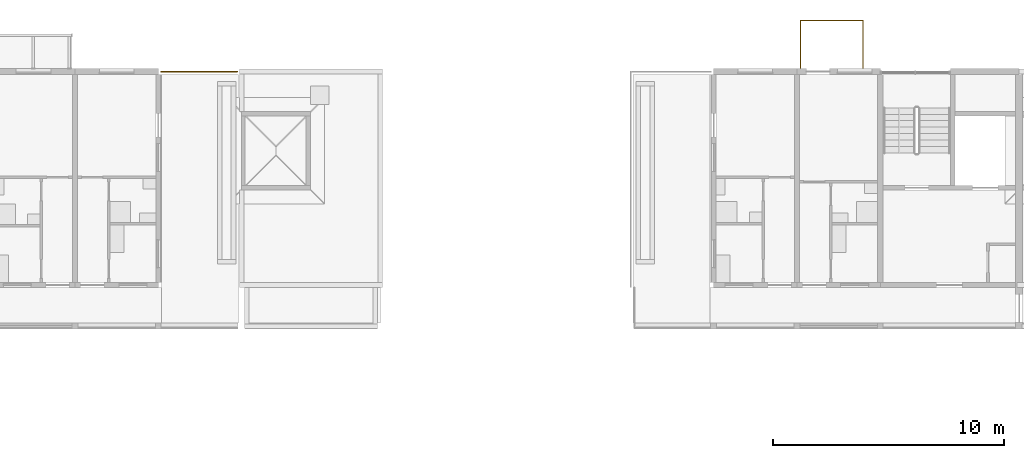
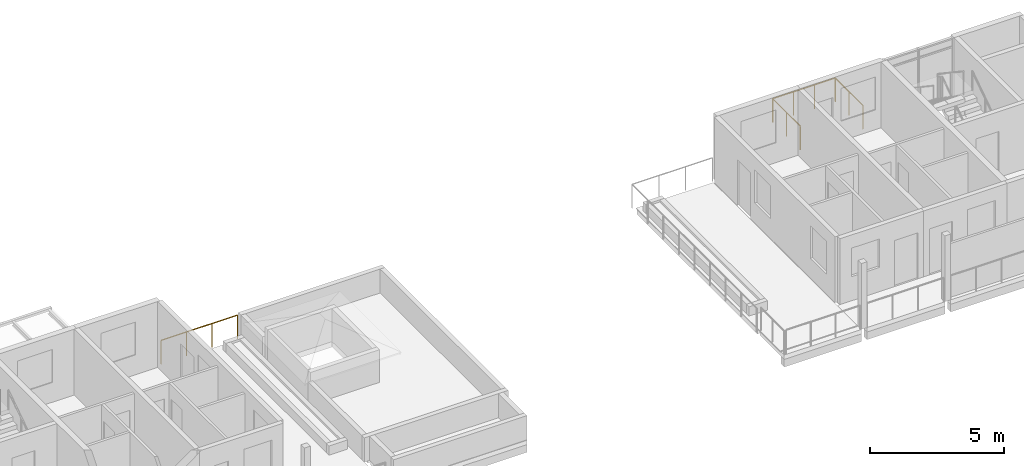
# One storey, part 76 of 78: 2 railings.
"""IFC4 building model written with IfcOpenShell, lengths in metres."""

from ifc_helpers import new_model, si_unit, direction, frame, origin, origin_2d, place, context, subcontext, project, spatial, circle, extrude, material, type_object, element, save


model = new_model("IFC4")

# Units and contexts
model_context = context("Model", 3, precision=1e-05, world=origin(), true_north=direction((0.0, 1.0)))
body_context = subcontext(model_context, "Body", "Model", "MODEL_VIEW")
ifc_project = project(units=[si_unit("LENGTHUNIT", "METRE"), si_unit("AREAUNIT", "SQUARE_METRE"), si_unit("VOLUMEUNIT", "CUBIC_METRE"), si_unit("PLANEANGLEUNIT", "RADIAN"), si_unit("MASSUNIT", "GRAM", prefix="KILO")], contexts=[model_context])

# Site, building, storey
site_placement = place(None, origin())
site = spatial("IfcSite", under=ifc_project, at=site_placement, CompositionType="ELEMENT")
building_placement = place(site_placement, origin())
building = spatial("IfcBuilding", under=site, at=building_placement, Name="Ridgestep Commons", CompositionType="ELEMENT")
storey_placement = place(building_placement, frame((0.0, 0.0, 30.0)))
storey = spatial("IfcBuildingStorey", under=building, at=storey_placement, Name="L10", CompositionType="ELEMENT", Elevation=30.0)

# Railings
ifc_material_1 = material(Name="Structural steel S355JR", Category="steel")
railing_type_1 = type_object("IfcRailingType", Name="Guard 1100", PredefinedType="GUARDRAIL", material=ifc_material_1)
railing_1_placement = place(storey_placement, frame((197.010009765625, 77.125, 0.0)))
element("IfcRailing", 1, at=railing_1_placement, inside=storey, type_object=railing_type_1, Name="Guard TD-C3R1-GD", PredefinedType="GUARDRAIL", context=body_context, shape_type="SweptSolid", body=[
    extrude(circle(Radius=0.02392578125, at=origin_2d()), frame((0.0, 0.0, 1.076171875), z_axis=(-1.0, 0.0, 0.0), x_axis=(0.0, -1.0, 0.0)), (0.0, 0.0, 1.0), 3.2890625),
    extrude(circle(Radius=0.02099609375, at=origin_2d()), origin(), (0.0, 0.0, 1.0), 1.052001953125),
    extrude(circle(Radius=0.02099609375, at=origin_2d()), frame((-1.096435546875, 0.0, 0.0)), (0.0, 0.0, 1.0), 1.052001953125),
    extrude(circle(Radius=0.02099609375, at=origin_2d()), frame((-2.192626953125, 0.0, 0.0)), (0.0, 0.0, 1.0), 1.052001953125),
    extrude(circle(Radius=0.02099609375, at=origin_2d()), frame((-3.2890625, 0.0, 0.0)), (0.0, 0.0, 1.0), 1.052001953125),
])
ifc_material_2 = material(Name="Weathering steel S355J2W", Category="steel")
railing_type_2 = type_object("IfcRailingType", Name="Tray guard 1100", PredefinedType="GUARDRAIL", material=ifc_material_2)
railing_2_placement = place(storey_placement, frame((221.35107421875, 77.27099609375, 0.0)))
element("IfcRailing", 2, at=railing_2_placement, inside=storey, type_object=railing_type_2, Name="Tray guard C5T3-10", PredefinedType="GUARDRAIL", context=body_context, shape_type="SweptSolid", body=[
    extrude(circle(Radius=0.02392578125, at=origin_2d()), frame((0.0, 0.0, 1.076171875), z_axis=(0.0, 1.0, 0.0), x_axis=(-1.0, 0.0, 0.0)), (0.0, 0.0, 1.0), 2.05810546875),
    extrude(circle(Radius=0.02392578125, at=origin_2d()), frame((0.0, 2.05810546875, 1.076171875), z_axis=(1.0, 0.0, 0.0), x_axis=(0.0, 1.0, 0.0)), (0.0, 0.0, 1.0), 2.697998046875),
    extrude(circle(Radius=0.02392578125, at=origin_2d()), frame((2.697998046875, 2.05810546875, 1.076171875), z_axis=(0.0, -1.0, 0.0), x_axis=(1.0, 0.0, 0.0)), (0.0, 0.0, 1.0), 2.05810546875),
    extrude(circle(Radius=0.02099609375, at=origin_2d()), origin(), (0.0, 0.0, 1.0), 1.052001953125),
    extrude(circle(Radius=0.02099609375, at=origin_2d()), frame((0.0, 1.029052734375, 0.0)), (0.0, 0.0, 1.0), 1.052001953125),
    extrude(circle(Radius=0.02099609375, at=origin_2d()), frame((0.0, 2.05810546875, 0.0)), (0.0, 0.0, 1.0), 1.052001953125),
    extrude(circle(Radius=0.02099609375, at=origin_2d()), frame((0.8994140625, 2.05810546875, 0.0)), (0.0, 0.0, 1.0), 1.052001953125),
    extrude(circle(Radius=0.02099609375, at=origin_2d()), frame((1.798583984375, 2.05810546875, 0.0)), (0.0, 0.0, 1.0), 1.052001953125),
    extrude(circle(Radius=0.02099609375, at=origin_2d()), frame((2.697998046875, 2.05810546875, 0.0)), (0.0, 0.0, 1.0), 1.052001953125),
    extrude(circle(Radius=0.02099609375, at=origin_2d()), frame((2.697998046875, 1.029052734375, 0.0)), (0.0, 0.0, 1.0), 1.052001953125),
    extrude(circle(Radius=0.02099609375, at=origin_2d()), frame((2.697998046875, 0.0, 0.0)), (0.0, 0.0, 1.0), 1.052001953125),
])

save(model, "model.ifc")
